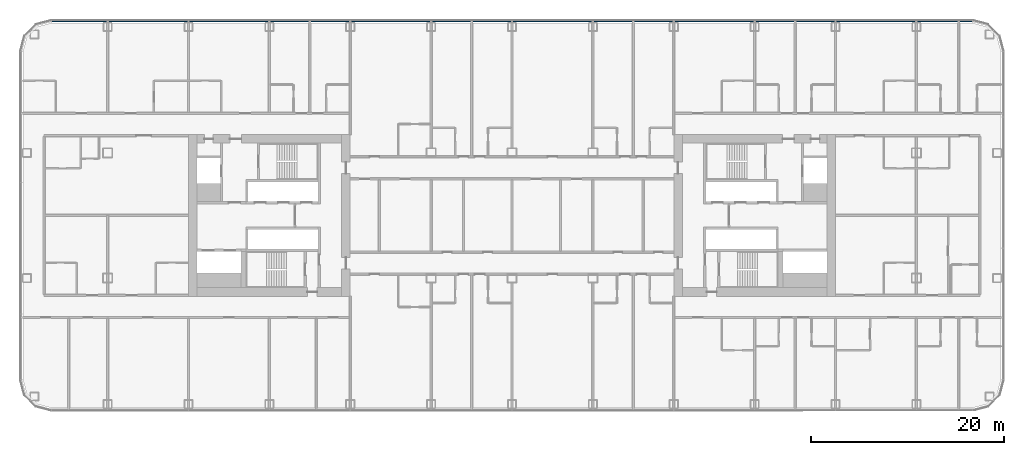
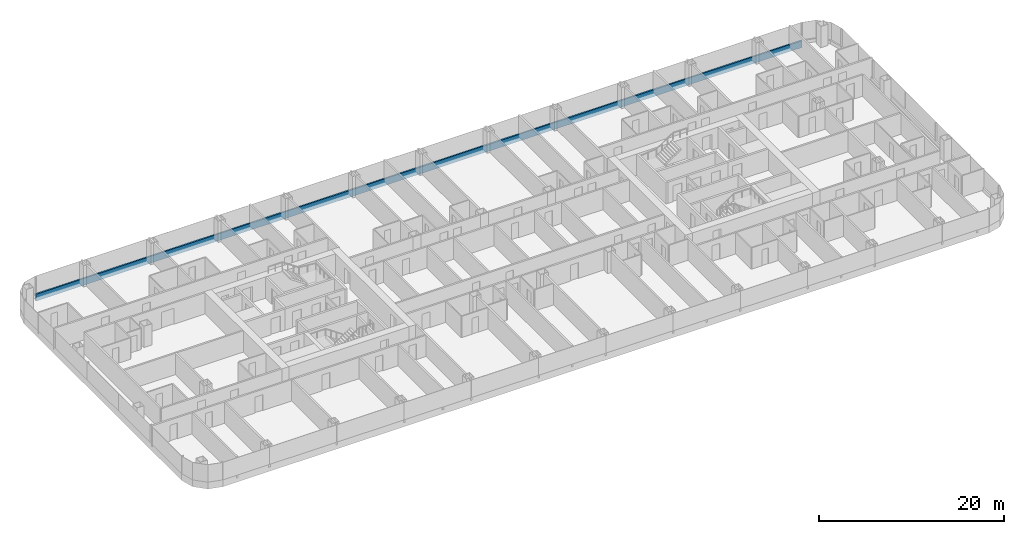
# One storey, part 8 of 28: 1 member, 1 element without a shape of its own.
"""IFC4 building model written with IfcOpenShell, lengths in metres."""

from ifc_helpers import new_model, si_unit, direction, frame, origin, origin_2d, place, context, subcontext, project, spatial, rectangle, extrude, material, layer, layer_set, material_profile, profile_set, type_object, element, aggregate, save


model = new_model("IFC4")

# Units and contexts
model_context = context("Model", 3, precision=1e-05, world=origin(), true_north=direction((0.0, 1.0)))
body_context = subcontext(model_context, "Body", "Model", "MODEL_VIEW")
ifc_project = project(units=[si_unit("LENGTHUNIT", "METRE"), si_unit("AREAUNIT", "SQUARE_METRE"), si_unit("VOLUMEUNIT", "CUBIC_METRE"), si_unit("PLANEANGLEUNIT", "RADIAN"), si_unit("MASSUNIT", "GRAM", prefix="KILO")], contexts=[model_context])

# Site, building, storey
site_placement = place(None, origin())
site = spatial("IfcSite", under=ifc_project, at=site_placement, CompositionType="ELEMENT")
building_placement = place(site_placement, origin())
building = spatial("IfcBuilding", under=site, at=building_placement, Name="Hakoniwa Tower and Hamabe Station Hall", CompositionType="ELEMENT")
storey_placement = place(building_placement, frame((0.0, 0.0, 58.199951171875)))
storey = spatial("IfcBuildingStorey", under=building, at=storey_placement, Name="L16", CompositionType="ELEMENT", Elevation=58.199951171875)

# Curtain wall, member
ifc_material_1 = material(Name="Dark low-e laminated glass", Category="glass")
ifc_layer = layer(ifc_material_1, 0.199951171875)
ifc_layer_set = layer_set([ifc_layer], Name="CW-1 UNITISED GUEST")
curtain_wall_type = type_object("IfcCurtainWallType", Name="CW-1 UNITISED GUEST", PredefinedType="NOTDEFINED", material=ifc_layer_set)
curtain_wall_placement = place(storey_placement, origin())
curtain_wall = element("IfcCurtainWall", 1, at=curtain_wall_placement, inside=storey, type_object=curtain_wall_type, Name="CW-1 curtain wall", PredefinedType="NOTDEFINED")
ifc_material_2 = material(Name="Aluminium 6063-T5 black anodised", Category="aluminium")
ifc_material_profile = material_profile(ifc_material_2, rectangle(XDim=0.199951171875, YDim=0.89990234375, at=origin_2d()), Name="CW SLAB-EDGE BAND 900X200")
ifc_profile_set = profile_set([ifc_material_profile], Name="Aluminium 6063-T5 black anodised")
member_type = type_object("IfcMemberType", Name="CW SLAB-EDGE BAND 900X200", PredefinedType="USERDEFINED", material=ifc_profile_set)
member_placement = place(storey_placement, frame((47.839599609375, 20.199951171875, -0.099853515625), z_axis=(-1.0, 0.0, 0.0), x_axis=(0.0, -1.0, 0.0)))
member = element("IfcMember", 2, at=member_placement, type_object=member_type, Name="CW-1 transom", ObjectType="TRANSOM", PredefinedType="USERDEFINED", context=body_context, shape_type="SweptSolid", body=[
    extrude(rectangle(XDim=0.199951171875, YDim=0.89990234375, at=origin_2d()), origin(), (0.0, 0.0, 1.0), 95.67919921875),
])
aggregate(curtain_wall, [member])

save(model, "model.ifc")
